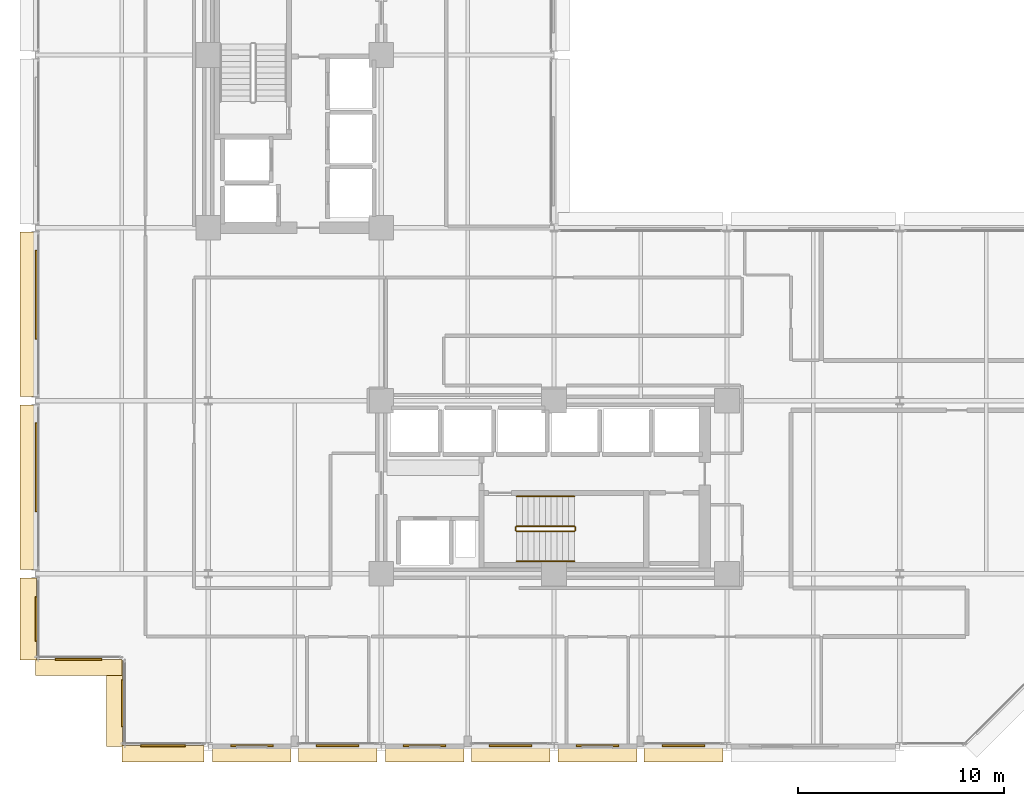
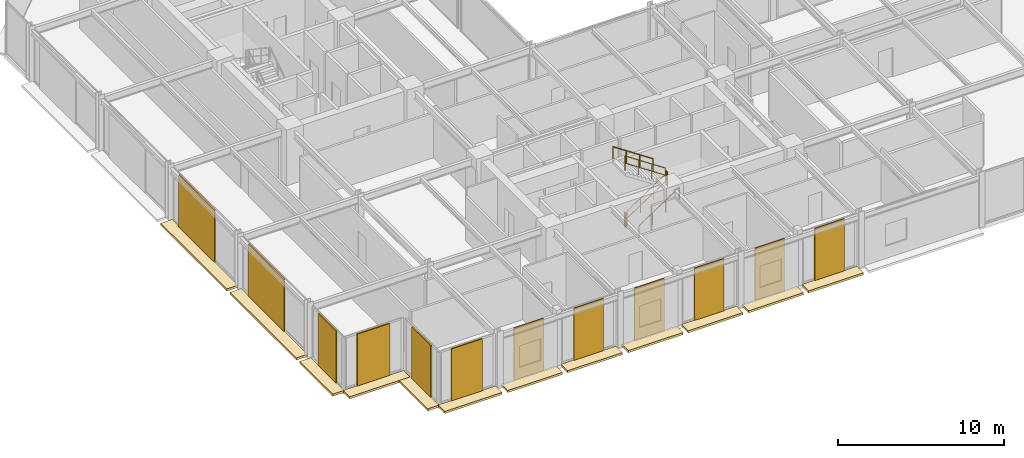
# One storey, part 36 of 39: 24 coverings, 6 railings.
"""IFC4 building model written with IfcOpenShell, lengths in metres."""

from ifc_helpers import new_model, si_unit, direction, frame, origin, origin_2d, place, context, subcontext, project, spatial, polyline, rectangle, circle, outline, extrude, material, layer, layer_set, type_object, element, save


model = new_model("IFC4")

# Units and contexts
model_context = context("Model", 3, precision=1e-05, world=origin(), true_north=direction((0.0, 1.0)))
body_context = subcontext(model_context, "Body", "Model", "MODEL_VIEW")
ifc_project = project(units=[si_unit("LENGTHUNIT", "METRE"), si_unit("AREAUNIT", "SQUARE_METRE"), si_unit("VOLUMEUNIT", "CUBIC_METRE"), si_unit("PLANEANGLEUNIT", "RADIAN"), si_unit("MASSUNIT", "GRAM", prefix="KILO")], contexts=[model_context])

# Site, building, storey
site_placement = place(None, origin())
site = spatial("IfcSite", under=ifc_project, at=site_placement, CompositionType="ELEMENT")
building_placement = place(site_placement, origin())
building = spatial("IfcBuilding", under=site, at=building_placement, Name="Nerrivon Quay Data Exchange", CompositionType="ELEMENT")
storey_placement = place(building_placement, frame((0.0, 0.0, 92.60009765625)))
storey = spatial("IfcBuildingStorey", under=building, at=storey_placement, Name="L21", CompositionType="ELEMENT", Elevation=92.60009765625)

# Coverings
ifc_material_1 = material(Name="Architectural terracotta ceramic", Category="masonry")
ifc_layer_1 = layer(ifc_material_1, 0.159912109375)
ifc_layer_set_1 = layer_set([ifc_layer_1], Name="Architectural terracotta ceramic")
covering_type_1 = type_object("IfcCoveringType", Name="COV-BLD-TERR", PredefinedType="CLADDING", material=ifc_layer_set_1)
covering_1_placement = place(storey_placement, frame((0.0, 0.0, -0.16015625)))
element("IfcCovering", 1, at=covering_1_placement, inside=storey, type_object=covering_type_1, Name="L21 Horizontal Terracotta SOLAR SCREEN Blade", PredefinedType="CLADDING", context=body_context, shape_type="SweptSolid", body=[
    extrude(outline(polyline([(33.39990234375, 0.0400390625), (29.574951171875, 0.0400390625), (29.574951171875, -0.75), (33.39990234375, -0.75), (33.39990234375, 0.0400390625)])), origin(), (0.0, 0.0, 1.0), 0.16015625),
])
covering_2_placement = place(storey_placement, frame((0.0, 0.0, -0.16015625)))
element("IfcCovering", 2, at=covering_2_placement, inside=storey, type_object=covering_type_1, Name="L21 Horizontal Terracotta SOLAR SCREEN Blade", PredefinedType="CLADDING", context=body_context, shape_type="SweptSolid", body=[
    extrude(outline(polyline([(29.22509765625, 0.0400390625), (25.39990234375, 0.0400390625), (25.39990234375, -0.75), (29.22509765625, -0.75), (29.22509765625, 0.0400390625)])), origin(), (0.0, 0.0, 1.0), 0.16015625),
])
covering_3_placement = place(storey_placement, frame((0.0, 0.0, -0.16015625)))
element("IfcCovering", 3, at=covering_3_placement, inside=storey, type_object=covering_type_1, Name="L21 Horizontal Terracotta SOLAR SCREEN Blade", PredefinedType="CLADDING", context=body_context, shape_type="SweptSolid", body=[
    extrude(outline(polyline([(25.0, 0.0400390625), (21.175048828125, 0.0400390625), (21.175048828125, -0.75), (25.0, -0.75), (25.0, 0.0400390625)])), origin(), (0.0, 0.0, 1.0), 0.16015625),
])
covering_4_placement = place(storey_placement, frame((0.0, 0.0, -0.16015625)))
element("IfcCovering", 4, at=covering_4_placement, inside=storey, type_object=covering_type_1, Name="L21 Horizontal Terracotta SOLAR SCREEN Blade", PredefinedType="CLADDING", context=body_context, shape_type="SweptSolid", body=[
    extrude(outline(polyline([(20.824951171875, 0.0400390625), (17.0, 0.0400390625), (17.0, -0.75), (20.824951171875, -0.75), (20.824951171875, 0.0400390625)])), origin(), (0.0, 0.0, 1.0), 0.16015625),
])
covering_5_placement = place(storey_placement, frame((0.0, 0.0, -0.16015625)))
element("IfcCovering", 5, at=covering_5_placement, inside=storey, type_object=covering_type_1, Name="L21 Horizontal Terracotta SOLAR SCREEN Blade", PredefinedType="CLADDING", context=body_context, shape_type="SweptSolid", body=[
    extrude(outline(polyline([(16.60009765625, 0.0400390625), (12.77490234375, 0.0400390625), (12.77490234375, -0.75), (16.60009765625, -0.75), (16.60009765625, 0.0400390625)])), origin(), (0.0, 0.0, 1.0), 0.16015625),
])
covering_6_placement = place(storey_placement, frame((0.0, 0.0, -0.16015625)))
element("IfcCovering", 6, at=covering_6_placement, inside=storey, type_object=covering_type_1, Name="L21 Horizontal Terracotta SOLAR SCREEN Blade", PredefinedType="CLADDING", context=body_context, shape_type="SweptSolid", body=[
    extrude(outline(polyline([(12.425048828125, 0.0400390625), (8.60009765625, 0.0400390625), (8.60009765625, -0.75), (12.425048828125, -0.75), (12.425048828125, 0.0400390625)])), origin(), (0.0, 0.0, 1.0), 0.16015625),
])
covering_7_placement = place(storey_placement, frame((0.0, 0.0, -0.16015625)))
element("IfcCovering", 7, at=covering_7_placement, inside=storey, type_object=covering_type_1, Name="L21 Horizontal Terracotta SOLAR SCREEN Blade", PredefinedType="CLADDING", context=body_context, shape_type="SweptSolid", body=[
    extrude(outline(polyline([(8.199951171875, 0.0400390625), (4.199951171875, 0.0400390625), (4.199951171875, -0.75), (8.199951171875, -0.75), (8.199951171875, 0.0400390625)])), origin(), (0.0, 0.0, 1.0), 0.16015625),
])
covering_8_placement = place(storey_placement, frame((0.0, 0.0, -0.16015625)))
element("IfcCovering", 8, at=covering_8_placement, inside=storey, type_object=covering_type_1, Name="L21 Horizontal Terracotta SOLAR SCREEN Blade", PredefinedType="CLADDING", context=body_context, shape_type="SweptSolid", body=[
    extrude(outline(polyline([(4.239990234375, 0.0), (4.239990234375, 4.199951171875), (3.449951171875, 4.199951171875), (3.449951171875, 0.0), (4.239990234375, 0.0)])), origin(), (0.0, 0.0, 1.0), 0.16015625),
])
covering_9_placement = place(storey_placement, frame((0.0, 0.0, -0.16015625)))
element("IfcCovering", 9, at=covering_9_placement, inside=storey, type_object=covering_type_1, Name="L21 Horizontal Terracotta SOLAR SCREEN Blade", PredefinedType="CLADDING", context=body_context, shape_type="SweptSolid", body=[
    extrude(outline(polyline([(4.199951171875, 4.239990234375), (0.0, 4.239990234375), (0.0, 3.449951171875), (4.199951171875, 3.449951171875), (4.199951171875, 4.239990234375)])), origin(), (0.0, 0.0, 1.0), 0.16015625),
])
covering_10_placement = place(storey_placement, frame((0.0, 0.0, -0.16015625)))
element("IfcCovering", 10, at=covering_10_placement, inside=storey, type_object=covering_type_1, Name="L21 Horizontal Terracotta SOLAR SCREEN Blade", PredefinedType="CLADDING", context=body_context, shape_type="SweptSolid", body=[
    extrude(outline(polyline([(0.0400390625, 4.199951171875), (0.0400390625, 8.199951171875), (-0.75, 8.199951171875), (-0.75, 4.199951171875), (0.0400390625, 4.199951171875)])), origin(), (0.0, 0.0, 1.0), 0.16015625),
])
covering_11_placement = place(storey_placement, frame((0.0, 0.0, -0.16015625)))
element("IfcCovering", 11, at=covering_11_placement, inside=storey, type_object=covering_type_1, Name="L21 Horizontal Terracotta SOLAR SCREEN Blade", PredefinedType="CLADDING", context=body_context, shape_type="SweptSolid", body=[
    extrude(outline(polyline([(0.0400390625, 8.60009765625), (0.0400390625, 16.60009765625), (-0.75, 16.60009765625), (-0.75, 8.60009765625), (0.0400390625, 8.60009765625)])), origin(), (0.0, 0.0, 1.0), 0.16015625),
])
covering_12_placement = place(storey_placement, frame((0.0, 0.0, -0.16015625)))
element("IfcCovering", 12, at=covering_12_placement, inside=storey, type_object=covering_type_1, Name="L21 Horizontal Terracotta SOLAR SCREEN Blade", PredefinedType="CLADDING", context=body_context, shape_type="SweptSolid", body=[
    extrude(outline(polyline([(0.0400390625, 17.0), (0.0400390625, 25.0), (-0.75, 25.0), (-0.75, 17.0), (0.0400390625, 17.0)])), origin(), (0.0, 0.0, 1.0), 0.16015625),
])
ifc_layer_2 = layer(ifc_material_1, 0.090087890625)
ifc_layer_set_2 = layer_set([ifc_layer_2], Name="Architectural terracotta ceramic")
covering_type_2 = type_object("IfcCoveringType", Name="COV-SCR-TERR", PredefinedType="CLADDING", material=ifc_layer_set_2)
covering_13_placement = place(storey_placement, frame((31.487548828125, 0.044921875, 0.0), z_axis=(0.0, 0.0, 1.0), x_axis=(-1.0, 0.0, 0.0)))
element("IfcCovering", 13, at=covering_13_placement, inside=storey, type_object=covering_type_2, Name="L21 Perforated Terracotta SOLAR SCREEN Cassette", PredefinedType="CLADDING", context=body_context, shape_type="SweptSolid", body=[
    extrude(rectangle(XDim=2.06494140625, YDim=0.090087890625, at=origin_2d()), origin(), (0.0, 0.0, 1.0), 3.824951171875),
])
covering_14_placement = place(storey_placement, frame((27.3125, 0.044921875, 0.0), z_axis=(0.0, 0.0, 1.0), x_axis=(-1.0, 0.0, 0.0)))
element("IfcCovering", 14, at=covering_14_placement, inside=storey, type_object=covering_type_2, Name="L21 Perforated Terracotta SOLAR SCREEN Cassette", PredefinedType="CLADDING", context=body_context, shape_type="SweptSolid", body=[
    extrude(rectangle(XDim=2.06591796875, YDim=0.090087890625, at=origin_2d()), origin(), (0.0, 0.0, 1.0), 3.824951171875),
])
for number, where, z_axis, x_axis, name in (
    (15, (23.08740234375, 0.044921875, 0.0), (0.0, 0.0, 1.0), (-1.0, 0.0, 0.0), "L21 Perforated Terracotta SOLAR SCREEN Cassette"),
    (16, (18.91259765625, 0.044921875, 0.0), (0.0, 0.0, 1.0), (-1.0, 0.0, 0.0), "L21 Perforated Terracotta SOLAR SCREEN Cassette"),
):
    element("IfcCovering", number, at=place(storey_placement, frame(where, z_axis=z_axis, x_axis=x_axis)), inside=storey, type_object=covering_type_2, Name=name, PredefinedType="CLADDING", context=body_context, shape_type="SweptSolid", body=[
        extrude(rectangle(XDim=2.06494140625, YDim=0.090087890625, at=origin_2d()), origin(), (0.0, 0.0, 1.0), 3.824951171875),
    ])
for number, where, z_axis, x_axis, name in (
    (17, (14.6875, 0.044921875, 0.0), (0.0, 0.0, 1.0), (-1.0, 0.0, 0.0), "L21 Perforated Terracotta SOLAR SCREEN Cassette"),
    (18, (10.512451171875, 0.044921875, 0.0), (0.0, 0.0, 1.0), (-1.0, 0.0, 0.0), "L21 Perforated Terracotta SOLAR SCREEN Cassette"),
):
    element("IfcCovering", number, at=place(storey_placement, frame(where, z_axis=z_axis, x_axis=x_axis)), inside=storey, type_object=covering_type_2, Name=name, PredefinedType="CLADDING", context=body_context, shape_type="SweptSolid", body=[
        extrude(rectangle(XDim=2.06591796875, YDim=0.090087890625, at=origin_2d()), origin(), (0.0, 0.0, 1.0), 3.824951171875),
    ])
covering_15_placement = place(storey_placement, frame((6.199951171875, 0.044921875, 0.0), z_axis=(0.0, 0.0, 1.0), x_axis=(-1.0, 0.0, 0.0)))
element("IfcCovering", 19, at=covering_15_placement, inside=storey, type_object=covering_type_2, Name="L21 Perforated Terracotta SOLAR SCREEN Cassette", PredefinedType="CLADDING", context=body_context, shape_type="SweptSolid", body=[
    extrude(rectangle(XDim=2.159912109375, YDim=0.090087890625, at=origin_2d()), origin(), (0.0, 0.0, 1.0), 3.824951171875),
])
for number, where, z_axis, x_axis, name in (
    (20, (4.2451171875, 2.10009765625, 0.0), (0.0, 0.0, 1.0), (0.0, 1.0, 0.0), "L21 Perforated Terracotta SOLAR SCREEN Cassette"),
    (21, (2.10009765625, 4.2451171875, 0.0), (0.0, 0.0, 1.0), (-1.0, 0.0, 0.0), "L21 Perforated Terracotta SOLAR SCREEN Cassette"),
):
    element("IfcCovering", number, at=place(storey_placement, frame(where, z_axis=z_axis, x_axis=x_axis)), inside=storey, type_object=covering_type_2, Name=name, PredefinedType="CLADDING", context=body_context, shape_type="SweptSolid", body=[
        extrude(rectangle(XDim=2.26806640625, YDim=0.090087890625, at=origin_2d()), origin(), (0.0, 0.0, 1.0), 3.824951171875),
    ])
covering_16_placement = place(storey_placement, frame((0.044921875, 6.199951171875, 0.0), z_axis=(0.0, 0.0, 1.0), x_axis=(0.0, 1.0, 0.0)))
element("IfcCovering", 22, at=covering_16_placement, inside=storey, type_object=covering_type_2, Name="L21 Perforated Terracotta SOLAR SCREEN Cassette", PredefinedType="CLADDING", context=body_context, shape_type="SweptSolid", body=[
    extrude(rectangle(XDim=2.159912109375, YDim=0.090087890625, at=origin_2d()), origin(), (0.0, 0.0, 1.0), 3.824951171875),
])
for number, where, z_axis, x_axis, name in (
    (23, (0.044921875, 13.56005859375, 0.0), (0.0, 0.0, 1.0), (0.0, 1.0, 0.0), "L21 Perforated Terracotta SOLAR SCREEN Cassette"),
    (24, (0.044921875, 21.9599609375, 0.0), (0.0, 0.0, 1.0), (0.0, 1.0, 0.0), "L21 Perforated Terracotta SOLAR SCREEN Cassette"),
):
    element("IfcCovering", number, at=place(storey_placement, frame(where, z_axis=z_axis, x_axis=x_axis)), inside=storey, type_object=covering_type_2, Name=name, PredefinedType="CLADDING", context=body_context, shape_type="SweptSolid", body=[
        extrude(rectangle(XDim=4.320068359375, YDim=0.090087890625, at=origin_2d()), origin(), (0.0, 0.0, 1.0), 3.824951171875),
    ])

# Railings
ifc_material_2 = material(Name="Steel Grade C350L0 (350 MPa)", Category="steel")
railing_type_1 = type_object("IfcRailingType", Name="RAIL-HAND-HR1", PredefinedType="HANDRAIL", material=ifc_material_2)
railing_1_placement = place(storey_placement, frame((23.3798828125, 9.0, 0.186279296875)))
element("IfcRailing", 25, at=railing_1_placement, inside=storey, type_object=railing_type_1, Name="L21 ST02 stair handrail 1", PredefinedType="HANDRAIL", context=body_context, shape_type="SweptSolid", body=[
    extrude(circle(Radius=0.02392578125, at=origin_2d()), frame((0.0, 0.0, 0.8759765625), z_axis=(0.832485552168, 0.0, 0.554046753832), x_axis=(0.0, 1.0, 0.0)), (0.0, 0.0, 1.0), 3.363525390625),
    extrude(circle(Radius=0.02099609375, at=origin_2d()), origin(), (0.0, 0.0, 1.0), 0.851806640625),
    extrude(circle(Radius=0.02099609375, at=origin_2d()), frame((0.933349609375, 0.0, 0.62109375)), (0.0, 0.0, 1.0), 0.851806640625),
    extrude(circle(Radius=0.02099609375, at=origin_2d()), frame((1.86669921875, 0.0, 1.242431640625)), (0.0, 0.0, 1.0), 0.851806640625),
    extrude(circle(Radius=0.02099609375, at=origin_2d()), frame((2.800048828125, 0.0, 1.863525390625)), (0.0, 0.0, 1.0), 0.851806640625),
])
railing_2_placement = place(storey_placement, frame((26.179931640625, 12.14990234375, 2.236328125)))
element("IfcRailing", 26, at=railing_2_placement, inside=storey, type_object=railing_type_1, Name="L21 ST02 stair handrail 2", PredefinedType="HANDRAIL", context=body_context, shape_type="SweptSolid", body=[
    extrude(circle(Radius=0.02392578125, at=origin_2d()), frame((0.0, 0.0, 0.8759765625), z_axis=(-0.832485552168, 0.0, 0.554046753832), x_axis=(0.0, -1.0, 0.0)), (0.0, 0.0, 1.0), 3.363525390625),
    extrude(circle(Radius=0.02099609375, at=origin_2d()), origin(), (0.0, 0.0, 1.0), 0.851806640625),
    extrude(circle(Radius=0.02099609375, at=origin_2d()), frame((-0.933349609375, 0.0, 0.62109375)), (0.0, 0.0, 1.0), 0.851806640625),
    extrude(circle(Radius=0.02099609375, at=origin_2d()), frame((-1.86669921875, 0.0, 1.242431640625)), (0.0, 0.0, 1.0), 0.851806640625),
    extrude(circle(Radius=0.02099609375, at=origin_2d()), frame((-2.800048828125, 0.0, 1.863525390625)), (0.0, 0.0, 1.0), 0.851806640625),
])
railing_type_2 = type_object("IfcRailingType", Name="RAIL-STAIR-GR1", PredefinedType="BALUSTRADE", material=ifc_material_2)
railing_3_placement = place(storey_placement, frame((23.3798828125, 10.449951171875, 0.186279296875)))
element("IfcRailing", 27, at=railing_3_placement, inside=storey, type_object=railing_type_2, Name="L21 ST02 stair guard 1", PredefinedType="BALUSTRADE", context=body_context, shape_type="SweptSolid", body=[
    extrude(circle(Radius=0.02392578125, at=origin_2d()), frame((0.0, 0.0, 1.076171875), z_axis=(0.832485552168, 0.0, 0.554046753832), x_axis=(0.0, 1.0, 0.0)), (0.0, 0.0, 1.0), 3.363525390625),
    extrude(circle(Radius=0.02392578125, at=origin_2d()), frame((0.0, 0.0, 0.550048828125), z_axis=(0.832485552168, 0.0, 0.554046753832), x_axis=(0.0, 1.0, 0.0)), (0.0, 0.0, 1.0), 3.363525390625),
    extrude(circle(Radius=0.02099609375, at=origin_2d()), origin(), (0.0, 0.0, 1.0), 1.052001953125),
    extrude(circle(Radius=0.02099609375, at=origin_2d()), frame((0.933349609375, 0.0, 0.62109375)), (0.0, 0.0, 1.0), 1.052001953125),
    extrude(circle(Radius=0.02099609375, at=origin_2d()), frame((1.86669921875, 0.0, 1.242431640625)), (0.0, 0.0, 1.0), 1.052001953125),
    extrude(circle(Radius=0.02099609375, at=origin_2d()), frame((2.800048828125, 0.0, 1.863525390625)), (0.0, 0.0, 1.0), 1.052001953125),
])
railing_4_placement = place(storey_placement, frame((26.22998046875, 10.5, 2.0498046875)))
element("IfcRailing", 28, at=railing_4_placement, inside=storey, type_object=railing_type_2, Name="L21 ST02 stair guard 2", PredefinedType="BALUSTRADE", context=body_context, shape_type="SweptSolid", body=[
    extrude(circle(Radius=0.02392578125, at=origin_2d()), frame((0.0, 0.0, 1.076171875), z_axis=(0.0, 1.0, 0.0), x_axis=(-1.0, 0.0, 0.0)), (0.0, 0.0, 1.0), 0.14990234375),
    extrude(circle(Radius=0.02392578125, at=origin_2d()), frame((0.0, 0.0, 0.550048828125), z_axis=(0.0, 1.0, 0.0), x_axis=(-1.0, 0.0, 0.0)), (0.0, 0.0, 1.0), 0.14990234375),
    extrude(circle(Radius=0.02099609375, at=origin_2d()), origin(), (0.0, 0.0, 1.0), 1.052001953125),
    extrude(circle(Radius=0.02099609375, at=origin_2d()), frame((0.0, 0.14990234375, 0.0)), (0.0, 0.0, 1.0), 1.052001953125),
])
railing_5_placement = place(storey_placement, frame((26.179931640625, 10.699951171875, 2.236328125)))
element("IfcRailing", 29, at=railing_5_placement, inside=storey, type_object=railing_type_2, Name="L21 ST02 stair guard 3", PredefinedType="BALUSTRADE", context=body_context, shape_type="SweptSolid", body=[
    extrude(circle(Radius=0.02392578125, at=origin_2d()), frame((0.0, 0.0, 1.076171875), z_axis=(-0.832485552168, 0.0, 0.554046753832), x_axis=(0.0, -1.0, 0.0)), (0.0, 0.0, 1.0), 3.363525390625),
    extrude(circle(Radius=0.02392578125, at=origin_2d()), frame((0.0, 0.0, 0.550048828125), z_axis=(-0.832485552168, 0.0, 0.554046753832), x_axis=(0.0, -1.0, 0.0)), (0.0, 0.0, 1.0), 3.363525390625),
    extrude(circle(Radius=0.02099609375, at=origin_2d()), origin(), (0.0, 0.0, 1.0), 1.052001953125),
    extrude(circle(Radius=0.02099609375, at=origin_2d()), frame((-0.933349609375, 0.0, 0.62109375)), (0.0, 0.0, 1.0), 1.052001953125),
    extrude(circle(Radius=0.02099609375, at=origin_2d()), frame((-1.86669921875, 0.0, 1.242431640625)), (0.0, 0.0, 1.0), 1.052001953125),
    extrude(circle(Radius=0.02099609375, at=origin_2d()), frame((-2.800048828125, 0.0, 1.863525390625)), (0.0, 0.0, 1.0), 1.052001953125),
])
railing_6_placement = place(storey_placement, frame((23.330078125, 10.5, 0.0)))
element("IfcRailing", 30, at=railing_6_placement, inside=storey, type_object=railing_type_2, Name="L21 ST02 stair guard 4", PredefinedType="BALUSTRADE", context=body_context, shape_type="SweptSolid", body=[
    extrude(circle(Radius=0.02392578125, at=origin_2d()), frame((0.0, 0.0, 1.076171875), z_axis=(0.0, 1.0, 0.0), x_axis=(-1.0, 0.0, 0.0)), (0.0, 0.0, 1.0), 0.14990234375),
    extrude(circle(Radius=0.02392578125, at=origin_2d()), frame((0.0, 0.0, 0.550048828125), z_axis=(0.0, 1.0, 0.0), x_axis=(-1.0, 0.0, 0.0)), (0.0, 0.0, 1.0), 0.14990234375),
    extrude(circle(Radius=0.02099609375, at=origin_2d()), origin(), (0.0, 0.0, 1.0), 1.052001953125),
    extrude(circle(Radius=0.02099609375, at=origin_2d()), frame((0.0, 0.14990234375, 0.0)), (0.0, 0.0, 1.0), 1.052001953125),
])

save(model, "model.ifc")
